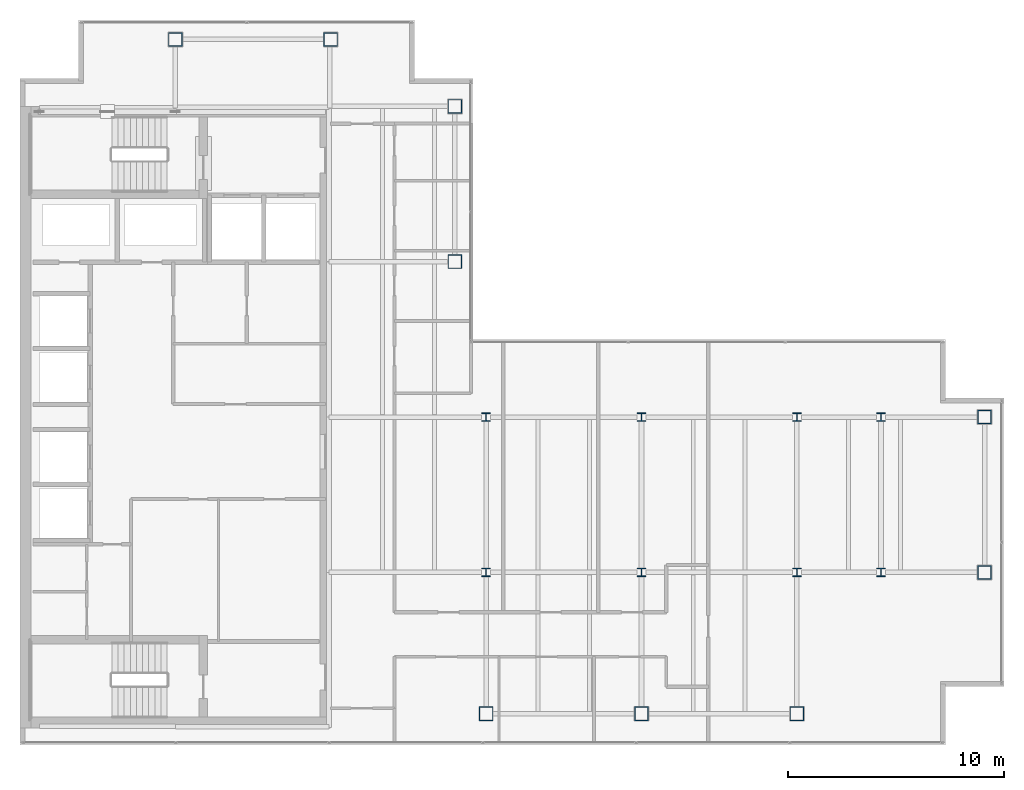
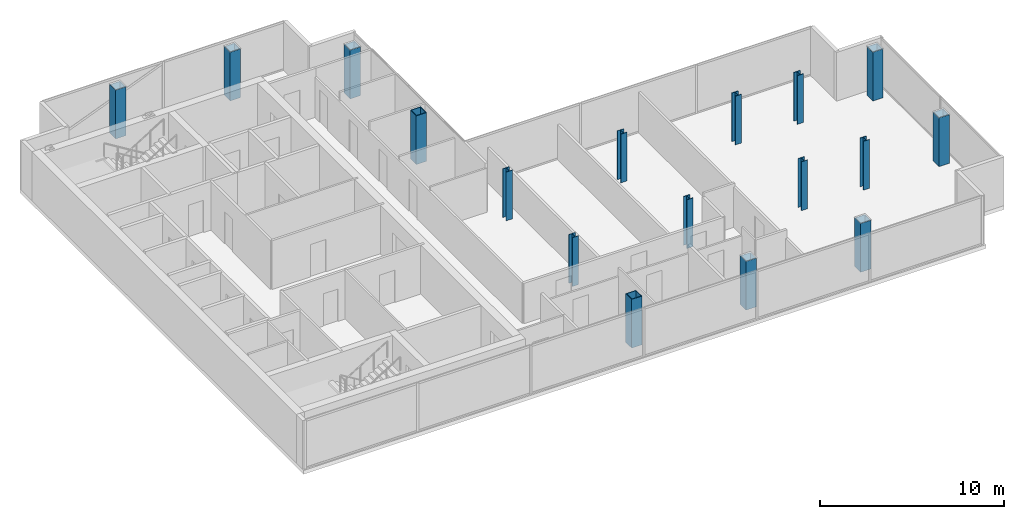
# One storey, part 1 of 24: 17 columns.
"""IFC4 building model written with IfcOpenShell, lengths in metres."""

import ifcopenshell
import ifcopenshell.guid

model = None  # the IFC model being written
_history = None  # IfcOwnerHistory: only IFC2X3 demands one
_inside = {}  # id of a spatial element -> (the spatial element, [elements in it])
_under = {}  # id of a project, library or spatial element -> (it, [spatial elements below it])
_declared = {}  # id of a project -> (the project, [libraries it declares])
_typed = {}  # id of a type object -> (the type object, [elements of that type])
_made_of = {}  # id of a material, layer set ... -> (it, [elements and type objects made of it])


def new_model(schema):
    """Start an empty IFC model of exactly this schema.

    Asked for "IFC4X3", IfcOpenShell would pick the latest addendum, in which some entities
    have other attributes; the version numbers below select the first issue.
    IFC2X3 requires an IfcOwnerHistory on every rooted entity: one is made here for all.
    """
    global model, _history
    if schema == "IFC4X3":
        model = ifcopenshell.file(schema_version=(4, 3, 0, 0))
    else:
        model = ifcopenshell.file(schema=schema)
    _inside.clear()
    _under.clear()
    _declared.clear()
    _typed.clear()
    _made_of.clear()
    _history = None
    if model.schema == "IFC2X3":
        org = make("IfcOrganization", Name="unknown")
        user = make(
            "IfcPersonAndOrganization",
            ThePerson=make("IfcPerson", FamilyName="unknown"),
            TheOrganization=org,
        )
        app = make(
            "IfcApplication",
            ApplicationDeveloper=org,
            Version="unknown",
            ApplicationFullName="unknown",
            ApplicationIdentifier="unknown",
        )
        _history = make(
            "IfcOwnerHistory",
            OwningUser=user,
            OwningApplication=app,
            ChangeAction="ADDED",
            CreationDate=0,
        )
    return model


def make(cls, **values):
    """One entity of the class cls with the attributes given. An attribute that is None is left unset."""
    return model.create_entity(
        cls, **{name: value for name, value in values.items() if value is not None}
    )


def rooted(cls, **values):
    """An entity with a GlobalId (a new one), such as an element, a storey or a relation."""
    return make(cls, GlobalId=ifcopenshell.guid.new(), OwnerHistory=_history, **values)


def si_unit(unit_type, name, prefix=None):
    """IfcSIUnit, for example si_unit("LENGTHUNIT", "METRE", prefix="MILLI")."""
    return make("IfcSIUnit", UnitType=unit_type, Prefix=prefix, Name=name)


def assignment(units):
    """IfcUnitAssignment: the units of a project."""
    return None if units is None else make("IfcUnitAssignment", Units=units)


def point(xyz):
    """IfcCartesianPoint."""
    return None if xyz is None else make("IfcCartesianPoint", Coordinates=xyz)


def direction(xyz):
    """IfcDirection."""
    return None if xyz is None else make("IfcDirection", DirectionRatios=xyz)


def frame(location, z_axis=None, x_axis=None):
    """IfcAxis2Placement3D, a coordinate frame: its origin and axes. An axis left out is left unset."""
    return make(
        "IfcAxis2Placement3D",
        Location=point(location),
        Axis=direction(z_axis),
        RefDirection=direction(x_axis),
    )


def frame_2d(location, x_axis=None):
    """IfcAxis2Placement2D, a coordinate frame in the plane: its origin and x axis."""
    return make(
        "IfcAxis2Placement2D", Location=point(location), RefDirection=direction(x_axis)
    )


def origin():
    """The frame at (0, 0, 0) with its axes left unset."""
    return frame((0.0, 0.0, 0.0))


def origin_2d():
    """The frame at (0, 0) in the plane with its x axis left unset."""
    return frame_2d((0.0, 0.0))


def place(relative_to, where):
    """IfcLocalPlacement: puts the frame where relative to a parent placement (None: the world)."""
    return make(
        "IfcLocalPlacement", PlacementRelTo=relative_to, RelativePlacement=where
    )


def context(
    kind, dimensions, precision=None, world=None, true_north=None, identifier=None
):
    """IfcGeometricRepresentationContext, for example the 3D "Model" context."""
    return make(
        "IfcGeometricRepresentationContext",
        ContextIdentifier=identifier,
        ContextType=kind,
        CoordinateSpaceDimension=dimensions,
        Precision=precision,
        WorldCoordinateSystem=world,
        TrueNorth=true_north,
    )


def subcontext(parent, identifier, kind, view, scale=None):
    """IfcGeometricRepresentationSubContext, for example "Body" below "Model"."""
    return make(
        "IfcGeometricRepresentationSubContext",
        ContextIdentifier=identifier,
        ContextType=kind,
        ParentContext=parent,
        TargetScale=scale,
        TargetView=view,
    )


def project(units=None, contexts=None):
    """IfcProject with its units and contexts."""
    return rooted(
        "IfcProject",
        Name="project",
        RepresentationContexts=contexts,
        UnitsInContext=assignment(units),
    )


def spatial(cls, under=None, at=None, **own):
    """A site, building, storey or space (cls), placed at a placement, below another one or the project."""
    s = rooted(cls, ObjectPlacement=at, **own)
    if under is not None:
        _under.setdefault(under.id(), (under, []))[1].append(s)
    return s


def profile(cls, at=None, kind="AREA", **sizes):
    """A parametric profile (cls). Its sizes go by their IFC names, for example OverallWidth=200.0."""
    return make(cls, ProfileType=kind, Position=at, **sizes)


def hollow_rectangle(**sizes):
    """IfcRectangleHollowProfileDef."""
    return profile("IfcRectangleHollowProfileDef", **sizes)


def i_section(**sizes):
    """IfcIShapeProfileDef."""
    return profile("IfcIShapeProfileDef", **sizes)


def extrude(swept, where, along, depth):
    """IfcExtrudedAreaSolid: the profile swept, set in the frame where, extruded along a direction by depth."""
    return make(
        "IfcExtrudedAreaSolid",
        SweptArea=swept,
        Position=where,
        ExtrudedDirection=direction(along),
        Depth=depth,
    )


def shape(context_of_items, identifier, shape_type, items):
    """IfcShapeRepresentation: the items that make up one representation, for example the "Body"."""
    return make(
        "IfcShapeRepresentation",
        ContextOfItems=context_of_items,
        RepresentationIdentifier=identifier,
        RepresentationType=shape_type,
        Items=items,
    )


def material(Name=None, Category=None):
    """IfcMaterial."""
    return make("IfcMaterial", Name=Name, Category=Category)


def material_profile(
    of_material, cross_section, Name=None, Category=None, Priority=None
):
    """IfcMaterialProfile: a cross section and its material."""
    return make(
        "IfcMaterialProfile",
        Name=Name,
        Material=of_material,
        Profile=cross_section,
        Priority=Priority,
        Category=Category,
    )


def profile_set(profiles, Name=None, composite=None):
    """IfcMaterialProfileSet."""
    return make(
        "IfcMaterialProfileSet",
        Name=Name,
        MaterialProfiles=profiles,
        CompositeProfile=composite,
    )


def made_of(thing, what):
    """Note that an element or type object is made of a material, layer set ...; save() writes the relation."""
    if what is not None:
        _made_of.setdefault(what.id(), (what, []))[1].append(thing)
    return thing


def type_object(cls, material=None, **own):
    """A type object (cls), such as IfcWallType, which elements share."""
    return made_of(rooted(cls, **own), material)


def element(
    cls,
    number,
    at=None,
    inside=None,
    cuts=None,
    type_object=None,
    material=None,
    context=None,
    identifier="Body",
    shape_type=None,
    held_by="IfcProductDefinitionShape",
    body=None,
    shapes=None,
    **own,
):
    """One element of the class cls, such as IfcWall. Its Tag is "e" and its number.

    at: its placement. inside: the storey or other place that contains it. cuts: it is an
    opening in that element (IfcRelVoidsElement). A single representation is given by context,
    identifier, shape_type and body (its items); several are given by shapes. held_by: the class
    of the entity that holds the representations. save() writes the other relations.
    """
    e = rooted(cls, Tag="e%d" % number, ObjectPlacement=at, **own)
    if body is not None:
        shapes = [shape(context, identifier, shape_type, body)]
    if shapes is not None:
        e.Representation = make(held_by, Representations=shapes)
    if inside is not None:
        _inside.setdefault(inside.id(), (inside, []))[1].append(e)
    if cuts is not None:
        rooted(
            "IfcRelVoidsElement", RelatingBuildingElement=cuts, RelatedOpeningElement=e
        )
    if type_object is not None:
        _typed.setdefault(type_object.id(), (type_object, []))[1].append(e)
    return made_of(e, material)


def aggregate(whole, parts):
    """IfcRelAggregates: a whole, such as a stair, and the parts it consists of."""
    return rooted("IfcRelAggregates", RelatingObject=whole, RelatedObjects=parts)


def save(model, path):
    """Write the relations noted so far, then the file.

    IfcRelAggregates (storeys below a building ...), IfcRelContainedInSpatialStructure (elements
    in a storey), IfcRelDefinesByType, IfcRelAssociatesMaterial and IfcRelDeclares: one each for
    every whole, place, type object, material and project.
    """
    for whole, parts in _under.values():
        aggregate(whole, parts)
    for where, things in _inside.values():
        rooted(
            "IfcRelContainedInSpatialStructure",
            RelatedElements=things,
            RelatingStructure=where,
        )
    for kind, things in _typed.values():
        rooted("IfcRelDefinesByType", RelatedObjects=things, RelatingType=kind)
    for what, things in _made_of.values():
        rooted("IfcRelAssociatesMaterial", RelatedObjects=things, RelatingMaterial=what)
    for by, libraries in _declared.values():
        rooted("IfcRelDeclares", RelatingContext=by, RelatedDefinitions=libraries)
    model.write(path)


model = new_model("IFC4")

# Units and contexts
model_context = context("Model", 3, precision=1e-05, world=origin(), true_north=direction((0.0, 1.0)))
body_context = subcontext(model_context, "Body", "Model", "MODEL_VIEW")
ifc_project = project(units=[si_unit("LENGTHUNIT", "METRE"), si_unit("AREAUNIT", "SQUARE_METRE"), si_unit("VOLUMEUNIT", "CUBIC_METRE"), si_unit("PLANEANGLEUNIT", "RADIAN"), si_unit("MASSUNIT", "GRAM", prefix="KILO")], contexts=[model_context])

# Site, building, storey
site_placement = place(None, origin())
site = spatial("IfcSite", under=ifc_project, at=site_placement, CompositionType="ELEMENT")
building_placement = place(site_placement, origin())
building = spatial("IfcBuilding", under=site, at=building_placement, Name="Cobrela Telecom Tower", CompositionType="ELEMENT")
storey_placement = place(building_placement, frame((0.0, 0.0, 290.14990234375)))
storey = spatial("IfcBuildingStorey", under=building, at=storey_placement, Name="L76", CompositionType="ELEMENT", Elevation=290.14990234375)

# Columns
ifc_material_1 = material(Name="Steel ASTM A992 Grade 50", Category="steel")
ifc_material_profile_1 = material_profile(ifc_material_1, i_section(OverallWidth=0.39892578125, OverallDepth=0.39404296875, WebThickness=0.022705078125, FlangeThickness=0.03662109375, FilletRadius=0.01806640625, at=origin_2d()), Name="W14X193")
ifc_profile_set_1 = profile_set([ifc_material_profile_1], Name="Steel ASTM A992 Grade 50")
column_type_1 = type_object("IfcColumnType", Name="COL-INT-06", PredefinedType="COLUMN", material=ifc_profile_set_1)
for number, where, z_axis, x_axis, name in (
    (1, (21.60009765625, 14.39990234375, 0.0), (0.0, 0.0, 1.0), (1.0, 0.0, 0.0), "L76 Interior Column 06"),
    (2, (21.60009765625, 21.60009765625, 0.0), (0.0, 0.0, 1.0), (1.0, 0.0, 0.0), "L76 Interior Column 07"),
    (3, (28.800048828125, 14.39990234375, 0.0), (0.0, 0.0, 1.0), (1.0, 0.0, 0.0), "L76 Interior Column 09"),
    (4, (28.800048828125, 21.60009765625, 0.0), (0.0, 0.0, 1.0), (1.0, 0.0, 0.0), "L76 Interior Column 10"),
    (5, (36.0, 14.39990234375, 0.0), (0.0, 0.0, 1.0), (1.0, 0.0, 0.0), "L76 Interior Column 12"),
    (6, (36.0, 21.60009765625, 0.0), (0.0, 0.0, 1.0), (1.0, 0.0, 0.0), "L76 Interior Column 13"),
    (7, (39.89990234375, 14.39990234375, 0.0), (0.0, 0.0, 1.0), (1.0, 0.0, 0.0), "L76 Interior Column 14"),
    (8, (39.89990234375, 21.60009765625, 0.0), (0.0, 0.0, 1.0), (1.0, 0.0, 0.0), "L76 Interior Column 15"),
):
    element("IfcColumn", number, at=place(storey_placement, frame(where, z_axis=z_axis, x_axis=x_axis)), inside=storey, type_object=column_type_1, Name=name, PredefinedType="COLUMN", context=body_context, shape_type="SweptSolid", body=[
        extrude(i_section(OverallWidth=0.39892578125, OverallDepth=0.39404296875, WebThickness=0.022705078125, FlangeThickness=0.03662109375, FilletRadius=0.01806640625, at=origin_2d()), origin(), (0.0, 0.0, 1.0), 3.239990234375),
    ])
ifc_material_2 = material(Name="Steel ASTM A572 Grade 50", Category="steel")
ifc_material_profile_2 = material_profile(ifc_material_2, hollow_rectangle(XDim=0.64990234375, YDim=0.64990234375, WallThickness=0.0400390625, at=origin_2d()), Name="BOX 650x650x40")
ifc_profile_set_2 = profile_set([ifc_material_profile_2], Name="Steel ASTM A572 Grade 50")
column_type_2 = type_object("IfcColumnType", Name="COL-MEGA-09", PredefinedType="COLUMN", material=ifc_profile_set_2)
for number, where, z_axis, x_axis, name in (
    (9, (7.199951171875, 39.10009765625, 0.0), (0.0, 0.0, 1.0), (1.0, 0.0, 0.0), "L76 Perimeter Mega-Column 01"),
    (10, (14.39990234375, 39.10009765625, 0.0), (0.0, 0.0, 1.0), (1.0, 0.0, 0.0), "L76 Perimeter Mega-Column 02"),
    (11, (20.14990234375, 28.800048828125, 0.0), (0.0, 0.0, 1.0), (1.0, 0.0, 0.0), "L76 Perimeter Mega-Column 03"),
    (12, (20.14990234375, 36.0, 0.0), (0.0, 0.0, 1.0), (1.0, 0.0, 0.0), "L76 Perimeter Mega-Column 04"),
    (13, (21.60009765625, 7.85009765625, 0.0), (0.0, 0.0, 1.0), (1.0, 0.0, 0.0), "L76 Perimeter Mega-Column 05"),
    (14, (28.800048828125, 7.85009765625, 0.0), (0.0, 0.0, 1.0), (1.0, 0.0, 0.0), "L76 Perimeter Mega-Column 08"),
    (15, (36.0, 7.85009765625, 0.0), (0.0, 0.0, 1.0), (1.0, 0.0, 0.0), "L76 Perimeter Mega-Column 11"),
    (16, (44.699951171875, 14.39990234375, 0.0), (0.0, 0.0, 1.0), (1.0, 0.0, 0.0), "L76 Perimeter Mega-Column 16"),
    (17, (44.699951171875, 21.60009765625, 0.0), (0.0, 0.0, 1.0), (1.0, 0.0, 0.0), "L76 Perimeter Mega-Column 17"),
):
    element("IfcColumn", number, at=place(storey_placement, frame(where, z_axis=z_axis, x_axis=x_axis)), inside=storey, type_object=column_type_2, Name=name, PredefinedType="COLUMN", context=body_context, shape_type="SweptSolid", body=[
        extrude(hollow_rectangle(XDim=0.64990234375, YDim=0.64990234375, WallThickness=0.0400390625, at=origin_2d()), origin(), (0.0, 0.0, 1.0), 3.239990234375),
    ])

save(model, "model.ifc")
